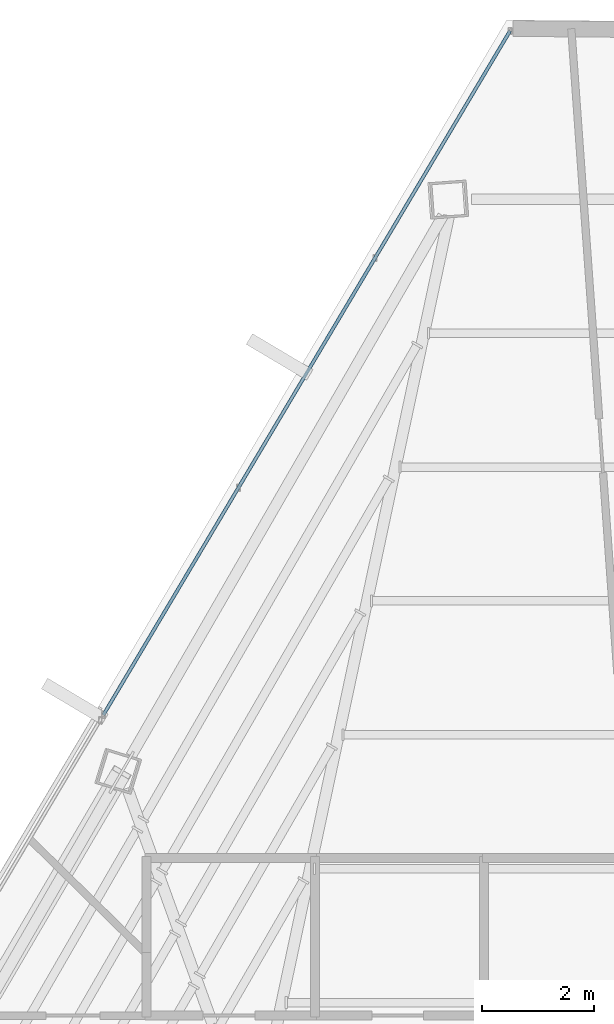
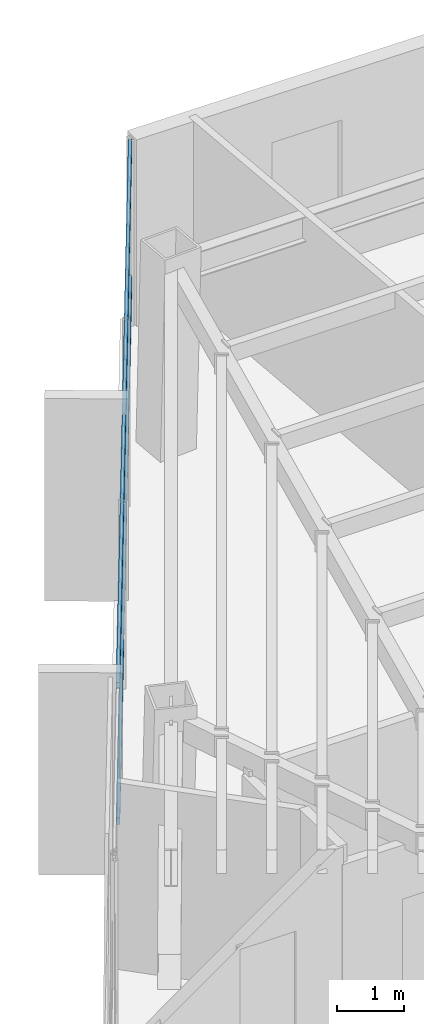
# One storey, part 32 of 47: 2 members, 1 element without a shape of its own.
"""IFC4 building model written with IfcOpenShell, lengths in metres."""

from ifc_helpers import new_model, si_unit, direction, frame, origin, origin_2d, place, context, subcontext, project, spatial, hollow_rectangle, extrude, source, transform, mapped, material, material_profile, profile_set, type_object, type_shapes, element, aggregate, save


model = new_model("IFC4")

# Units and contexts
model_context = context("Model", 3, precision=1e-05, world=origin(), true_north=direction((0.0, 1.0)))
body_context = subcontext(model_context, "Body", "Model", "MODEL_VIEW")
ifc_project = project(units=[si_unit("LENGTHUNIT", "METRE"), si_unit("AREAUNIT", "SQUARE_METRE"), si_unit("VOLUMEUNIT", "CUBIC_METRE"), si_unit("PLANEANGLEUNIT", "RADIAN"), si_unit("MASSUNIT", "GRAM", prefix="KILO")], contexts=[model_context])

# Site, building, storey
site_placement = place(None, origin())
site = spatial("IfcSite", under=ifc_project, at=site_placement, CompositionType="ELEMENT")
building_placement = place(site_placement, origin())
building = spatial("IfcBuilding", under=site, at=building_placement, Name="Caelisora Broadcast Tower", CompositionType="ELEMENT")
storey_placement = place(building_placement, frame((0.0, 0.0, 248.10009765625)))
storey = spatial("IfcBuildingStorey", under=building, at=storey_placement, Name="L65", CompositionType="ELEMENT", Elevation=248.10009765625)

# Curtain wall, members
ifc_material_1 = material(Name="Unitised Aluminium and Low-E Glass Curtain Wall", Category="glass")
curtain_wall_type = type_object("IfcCurtainWallType", Name="CW-Z5", PredefinedType="NOTDEFINED", material=ifc_material_1)
curtain_wall_placement = place(storey_placement, origin())
curtain_wall = element("IfcCurtainWall", 1, at=curtain_wall_placement, inside=storey, type_object=curtain_wall_type, Name="L65 curtain wall CW-Z5", PredefinedType="NOTDEFINED")
ifc_material_2 = material(Name="Aluminium 6063-T6 Anodised Terracotta Bronze", Category="aluminium")
ifc_material_profile = material_profile(ifc_material_2, hollow_rectangle(XDim=0.06005859375, YDim=0.1201171875, WallThickness=0.0029296875, at=origin_2d()), Name="Aluminium 6063-T6 Anodised Terracotta Bronze")
ifc_profile_set = profile_set([ifc_material_profile], Name="Aluminium 6063-T6 Anodised Terracotta Bronze")
member_type = type_object("IfcMemberType", Name="CWT-03", PredefinedType="USERDEFINED", material=ifc_profile_set)
shared_shape = source(origin(), body_context, "Body", "SweptSolid", [
    extrude(hollow_rectangle(XDim=0.06005859375, YDim=0.1201171875, WallThickness=0.0029296875, at=origin_2d()), origin(), (0.0, 0.0, 1.0), 14.151123046875),
])
type_shapes(member_type, [shared_shape])
member_1_placement = place(storey_placement, frame((27.835205078125, 37.497314453125, 0.849853515625), z_axis=(0.511064024768, 0.859542647335, 0.0), x_axis=(-0.859542647335, 0.511064024768, 0.0)))
member_1 = element("IfcMember", 2, at=member_1_placement, type_object=member_type, Name="L65-CW-B11 transom #1", ObjectType="TRANSOM", PredefinedType="USERDEFINED", context=body_context, shape_type="MappedRepresentation", body=[
    mapped(shared_shape, transform((0.0, 0.0, 0.0), scale=1.0)),
])
member_2_placement = place(storey_placement, frame((27.835205078125, 37.497314453125, 3.31982421875), z_axis=(0.511064024768, 0.859542647335, 0.0), x_axis=(-0.859542647335, 0.511064024768, 0.0)))
member_2 = element("IfcMember", 3, at=member_2_placement, type_object=member_type, Name="L65-CW-B11 transom #2", ObjectType="TRANSOM", PredefinedType="USERDEFINED", context=body_context, shape_type="MappedRepresentation", body=[
    mapped(shared_shape, transform((0.0, 0.0, 0.0), scale=1.0)),
])
aggregate(curtain_wall, [member_1, member_2])

save(model, "model.ifc")
